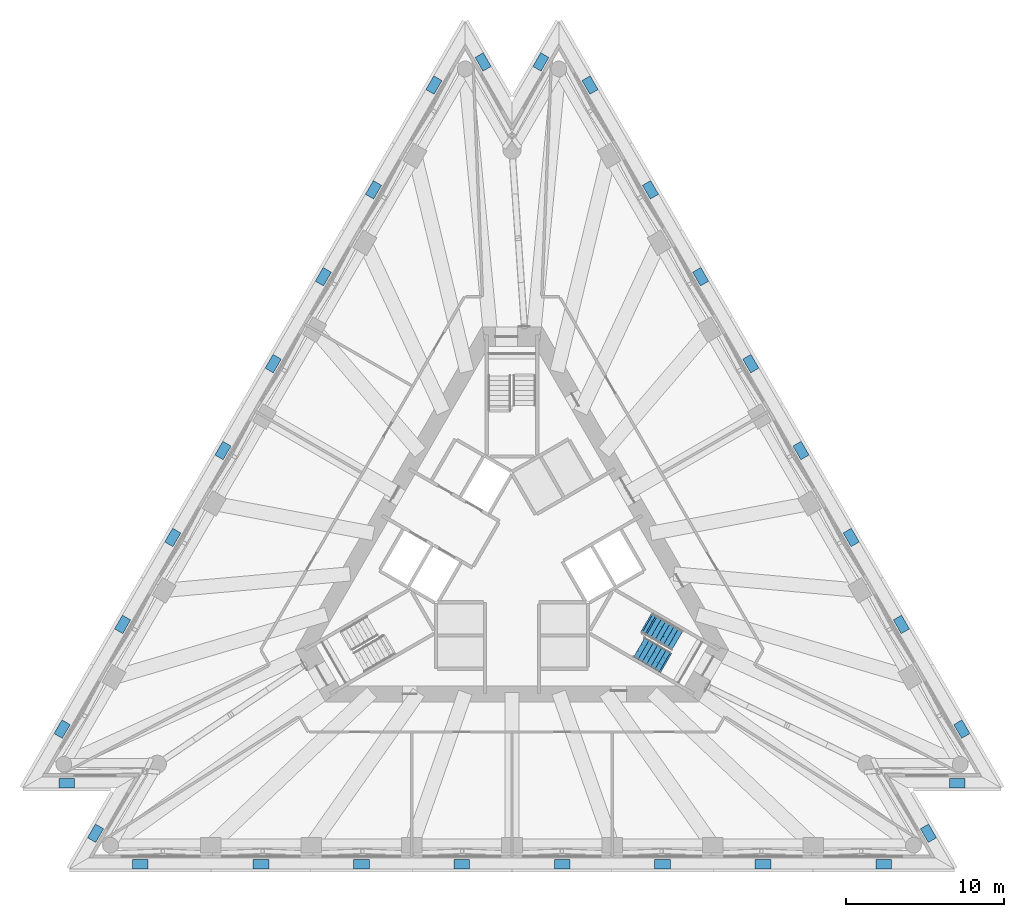
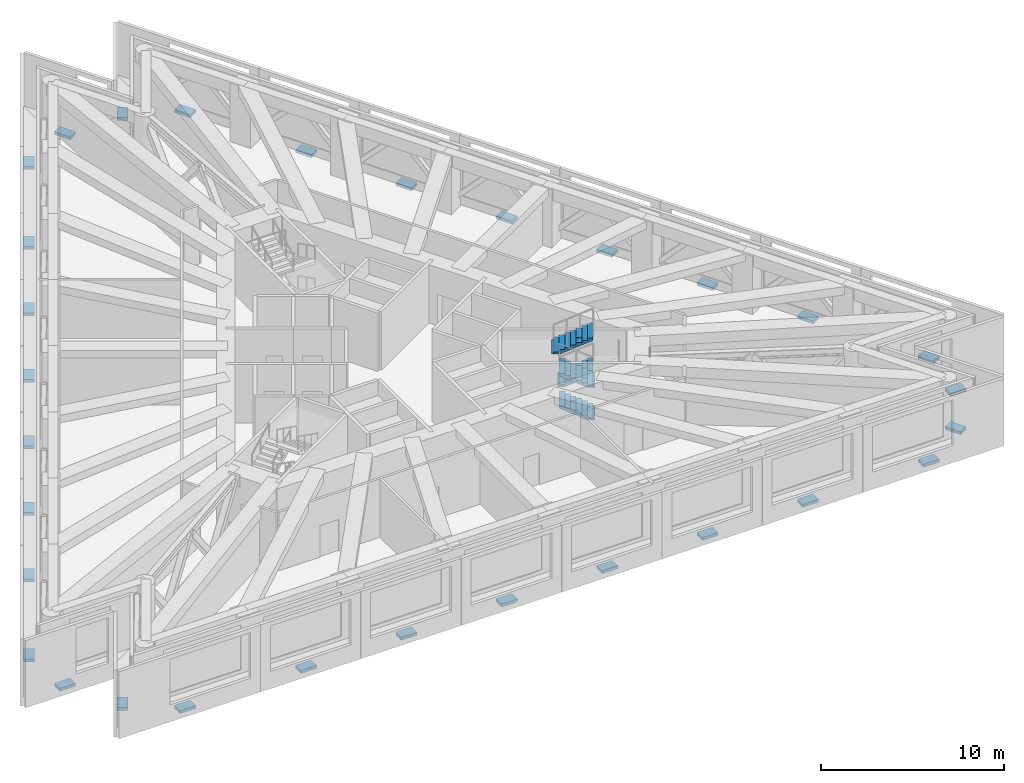
# One storey, part 10 of 12: 30 discrete accessories, 4 stair flights, 1 element without a shape of its own.
"""IFC4 building model written with IfcOpenShell, lengths in metres."""

from ifc_helpers import new_model, si_unit, direction, frame, origin, origin_2d, place, context, subcontext, project, spatial, polyline, rectangle, outline, extrude, material, type_object, element, aggregate, save


model = new_model("IFC4")

# Units and contexts
model_context = context("Model", 3, precision=1e-05, world=origin(), true_north=direction((0.0, 1.0)))
body_context = subcontext(model_context, "Body", "Model", "MODEL_VIEW")
ifc_project = project(units=[si_unit("LENGTHUNIT", "METRE"), si_unit("AREAUNIT", "SQUARE_METRE"), si_unit("VOLUMEUNIT", "CUBIC_METRE"), si_unit("PLANEANGLEUNIT", "RADIAN"), si_unit("MASSUNIT", "GRAM", prefix="KILO")], contexts=[model_context])

# Site, building, storey
site_placement = place(None, origin())
site = spatial("IfcSite", under=ifc_project, at=site_placement, CompositionType="ELEMENT")
building_placement = place(site_placement, origin())
building = spatial("IfcBuilding", under=site, at=building_placement, Name="Triada Interchange Tower", CompositionType="ELEMENT")
storey_placement = place(building_placement, frame((0.0, 0.0, 180.800048828125)))
storey = spatial("IfcBuildingStorey", under=building, at=storey_placement, Name="L42", CompositionType="ELEMENT", Elevation=180.800048828125)

# Stair, stair flights
ifc_material_1 = material(Name="Concrete C35/45", Category="concrete")
stair_type = type_object("IfcStairType", Name="HALF TURN STAIR 1400", PredefinedType="HALF_TURN_STAIR", material=ifc_material_1)
stair_placement = place(storey_placement, origin())
stair = element("IfcStair", 1, at=stair_placement, inside=storey, type_object=stair_type, Name="Exit stair S42-3", PredefinedType="HALF_TURN_STAIR")
stair_flight_type = type_object("IfcStairFlightType", Name="STRAIGHT STAIR FLIGHT 1400", PredefinedType="STRAIGHT", material=ifc_material_1)
stair_flight_1_placement = place(storey_placement, frame((9.64599609375, -6.492919921875, 0.0), z_axis=(0.0, 0.0, 1.0), x_axis=(-0.866025403784, 0.5, 0.0)))
stair_flight_1 = element("IfcStairFlight", 2, at=stair_flight_1_placement, type_object=stair_flight_type, Name="S42-3 flight 1", NumberOfRisers=7, NumberOfTreads=6, PredefinedType="STRAIGHT", RiserHeight=0.15517, TreadLength=0.31, context=body_context, shape_type="SweptSolid", body=[
    extrude(outline(polyline([(-0.10009765625, 0.0), (-0.10009765625, 0.02001953125), (0.0, 0.02001953125), (0.0, 0.1552734375), (0.31005859375, 0.1552734375), (0.31005859375, 0.310302734375), (0.6201171875, 0.310302734375), (0.6201171875, 0.465576171875), (0.929931640625, 0.465576171875), (0.929931640625, 0.62060546875), (1.239990234375, 0.62060546875), (1.239990234375, 0.77587890625), (1.550048828125, 0.77587890625), (1.550048828125, 0.930908203125), (1.860107421875, 0.930908203125), (1.864013671875, 0.930908203125), (1.864013671875, 1.086181640625), (1.864013671875, 0.763427734375), (0.3349609375, 0.0), (-0.10009765625, 0.0)])), frame((0.0, 0.699951171875, 0.0), z_axis=(0.0, -1.0, 0.0), x_axis=(1.0, 0.0, 0.0)), (0.0, 0.0, 1.0), 0.46533203125),
    extrude(outline(polyline([(-0.10009765625, 0.0), (-0.10009765625, 0.02001953125), (0.0, 0.02001953125), (0.0, 0.1552734375), (0.31005859375, 0.1552734375), (0.31005859375, 0.310302734375), (0.6201171875, 0.310302734375), (0.6201171875, 0.465576171875), (0.929931640625, 0.465576171875), (0.929931640625, 0.62060546875), (1.239990234375, 0.62060546875), (1.239990234375, 0.77587890625), (1.550048828125, 0.77587890625), (1.550048828125, 0.930908203125), (1.860107421875, 0.930908203125), (1.864013671875, 0.930908203125), (1.864013671875, 1.086181640625), (1.864013671875, 0.763427734375), (0.3349609375, 0.0), (-0.10009765625, 0.0)])), frame((0.0, 0.232666015625, 0.0), z_axis=(0.0, -1.0, 0.0), x_axis=(1.0, 0.0, 0.0)), (0.0, 0.0, 1.0), 0.46533203125),
    extrude(outline(polyline([(-0.10009765625, 0.0), (-0.10009765625, 0.02001953125), (0.0, 0.02001953125), (0.0, 0.1552734375), (0.31005859375, 0.1552734375), (0.31005859375, 0.310302734375), (0.6201171875, 0.310302734375), (0.6201171875, 0.465576171875), (0.929931640625, 0.465576171875), (0.929931640625, 0.62060546875), (1.239990234375, 0.62060546875), (1.239990234375, 0.77587890625), (1.550048828125, 0.77587890625), (1.550048828125, 0.930908203125), (1.860107421875, 0.930908203125), (1.864013671875, 0.930908203125), (1.864013671875, 1.086181640625), (1.864013671875, 0.763427734375), (0.3349609375, 0.0), (-0.10009765625, 0.0)])), frame((0.0, -0.234619140625, 0.0), z_axis=(0.0, -1.0, 0.0), x_axis=(1.0, 0.0, 0.0)), (0.0, 0.0, 1.0), 0.46533203125),
])
stair_flight_2_placement = place(storey_placement, frame((8.8349609375, -4.177001953125, 1.086181640625), z_axis=(0.0, 0.0, 1.0), x_axis=(0.866025403784, -0.5, 0.0)))
stair_flight_2 = element("IfcStairFlight", 3, at=stair_flight_2_placement, type_object=stair_flight_type, Name="S42-3 flight 2", NumberOfRisers=7, NumberOfTreads=6, PredefinedType="STRAIGHT", RiserHeight=0.15517, TreadLength=0.31, context=body_context, shape_type="SweptSolid", body=[
    extrude(outline(polyline([(-0.10009765625, 0.0), (-0.10009765625, 0.02001953125), (0.0, 0.02001953125), (0.0, 0.1552734375), (0.31005859375, 0.1552734375), (0.31005859375, 0.310302734375), (0.6201171875, 0.310302734375), (0.6201171875, 0.465576171875), (0.929931640625, 0.465576171875), (0.929931640625, 0.62060546875), (1.239990234375, 0.62060546875), (1.239990234375, 0.77587890625), (1.550048828125, 0.77587890625), (1.550048828125, 0.930908203125), (1.860107421875, 0.930908203125), (1.864013671875, 0.930908203125), (1.864013671875, 1.086181640625), (1.864013671875, 0.763427734375), (0.3349609375, 0.0), (-0.10009765625, 0.0)])), frame((0.0, 0.699951171875, 0.0), z_axis=(0.0, -1.0, 0.0), x_axis=(1.0, 0.0, 0.0)), (0.0, 0.0, 1.0), 0.46533203125),
    extrude(outline(polyline([(-0.10009765625, 0.0), (-0.10009765625, 0.02001953125), (0.0, 0.02001953125), (0.0, 0.1552734375), (0.31005859375, 0.1552734375), (0.31005859375, 0.310302734375), (0.6201171875, 0.310302734375), (0.6201171875, 0.465576171875), (0.929931640625, 0.465576171875), (0.929931640625, 0.62060546875), (1.239990234375, 0.62060546875), (1.239990234375, 0.77587890625), (1.550048828125, 0.77587890625), (1.550048828125, 0.930908203125), (1.860107421875, 0.930908203125), (1.864013671875, 0.930908203125), (1.864013671875, 1.086181640625), (1.864013671875, 0.763427734375), (0.3349609375, 0.0), (-0.10009765625, 0.0)])), frame((0.0, 0.232666015625, 0.0), z_axis=(0.0, -1.0, 0.0), x_axis=(1.0, 0.0, 0.0)), (0.0, 0.0, 1.0), 0.46533203125),
    extrude(outline(polyline([(-0.10009765625, 0.0), (-0.10009765625, 0.02001953125), (0.0, 0.02001953125), (0.0, 0.1552734375), (0.31005859375, 0.1552734375), (0.31005859375, 0.310302734375), (0.6201171875, 0.310302734375), (0.6201171875, 0.465576171875), (0.929931640625, 0.465576171875), (0.929931640625, 0.62060546875), (1.239990234375, 0.62060546875), (1.239990234375, 0.77587890625), (1.550048828125, 0.77587890625), (1.550048828125, 0.930908203125), (1.860107421875, 0.930908203125), (1.864013671875, 0.930908203125), (1.864013671875, 1.086181640625), (1.864013671875, 0.763427734375), (0.3349609375, 0.0), (-0.10009765625, 0.0)])), frame((0.0, -0.234619140625, 0.0), z_axis=(0.0, -1.0, 0.0), x_axis=(1.0, 0.0, 0.0)), (0.0, 0.0, 1.0), 0.46533203125),
])
stair_flight_3_placement = place(storey_placement, frame((9.64599609375, -6.492919921875, 2.17236328125), z_axis=(0.0, 0.0, 1.0), x_axis=(-0.866025403784, 0.5, 0.0)))
stair_flight_3 = element("IfcStairFlight", 4, at=stair_flight_3_placement, type_object=stair_flight_type, Name="S42-3 flight 3", NumberOfRisers=7, NumberOfTreads=6, PredefinedType="STRAIGHT", RiserHeight=0.15517, TreadLength=0.31, context=body_context, shape_type="SweptSolid", body=[
    extrude(outline(polyline([(-0.10009765625, 0.0), (-0.10009765625, 0.02001953125), (0.0, 0.02001953125), (0.0, 0.1552734375), (0.31005859375, 0.1552734375), (0.31005859375, 0.310302734375), (0.6201171875, 0.310302734375), (0.6201171875, 0.465576171875), (0.929931640625, 0.465576171875), (0.929931640625, 0.62060546875), (1.239990234375, 0.62060546875), (1.239990234375, 0.77587890625), (1.550048828125, 0.77587890625), (1.550048828125, 0.930908203125), (1.860107421875, 0.930908203125), (1.864013671875, 0.930908203125), (1.864013671875, 1.086181640625), (1.864013671875, 0.763427734375), (0.3349609375, 0.0), (-0.10009765625, 0.0)])), frame((0.0, 0.699951171875, 0.0), z_axis=(0.0, -1.0, 0.0), x_axis=(1.0, 0.0, 0.0)), (0.0, 0.0, 1.0), 0.46533203125),
    extrude(outline(polyline([(-0.10009765625, 0.0), (-0.10009765625, 0.02001953125), (0.0, 0.02001953125), (0.0, 0.1552734375), (0.31005859375, 0.1552734375), (0.31005859375, 0.310302734375), (0.6201171875, 0.310302734375), (0.6201171875, 0.465576171875), (0.929931640625, 0.465576171875), (0.929931640625, 0.62060546875), (1.239990234375, 0.62060546875), (1.239990234375, 0.77587890625), (1.550048828125, 0.77587890625), (1.550048828125, 0.930908203125), (1.860107421875, 0.930908203125), (1.864013671875, 0.930908203125), (1.864013671875, 1.086181640625), (1.864013671875, 0.763427734375), (0.3349609375, 0.0), (-0.10009765625, 0.0)])), frame((0.0, 0.232666015625, 0.0), z_axis=(0.0, -1.0, 0.0), x_axis=(1.0, 0.0, 0.0)), (0.0, 0.0, 1.0), 0.46533203125),
    extrude(outline(polyline([(-0.10009765625, 0.0), (-0.10009765625, 0.02001953125), (0.0, 0.02001953125), (0.0, 0.1552734375), (0.31005859375, 0.1552734375), (0.31005859375, 0.310302734375), (0.6201171875, 0.310302734375), (0.6201171875, 0.465576171875), (0.929931640625, 0.465576171875), (0.929931640625, 0.62060546875), (1.239990234375, 0.62060546875), (1.239990234375, 0.77587890625), (1.550048828125, 0.77587890625), (1.550048828125, 0.930908203125), (1.860107421875, 0.930908203125), (1.864013671875, 0.930908203125), (1.864013671875, 1.086181640625), (1.864013671875, 0.763427734375), (0.3349609375, 0.0), (-0.10009765625, 0.0)])), frame((0.0, -0.234619140625, 0.0), z_axis=(0.0, -1.0, 0.0), x_axis=(1.0, 0.0, 0.0)), (0.0, 0.0, 1.0), 0.46533203125),
])
stair_flight_4_placement = place(storey_placement, frame((8.56689453125, -4.02197265625, 3.258544921875), z_axis=(0.0, 0.0, 1.0), x_axis=(0.866025403784, -0.5, 0.0)))
stair_flight_4 = element("IfcStairFlight", 5, at=stair_flight_4_placement, type_object=stair_flight_type, Name="S42-3 flight 4", NumberOfRisers=8, NumberOfTreads=7, PredefinedType="STRAIGHT", RiserHeight=0.15517, TreadLength=0.31, context=body_context, shape_type="SweptSolid", body=[
    extrude(outline(polyline([(-0.10009765625, 0.0), (-0.10009765625, 0.02001953125), (0.0, 0.02001953125), (0.0, 0.1552734375), (0.31005859375, 0.1552734375), (0.31005859375, 0.310302734375), (0.6201171875, 0.310302734375), (0.6201171875, 0.465576171875), (0.929931640625, 0.465576171875), (0.929931640625, 0.62060546875), (1.239990234375, 0.62060546875), (1.239990234375, 0.77587890625), (1.550048828125, 0.77587890625), (1.550048828125, 0.930908203125), (1.860107421875, 0.930908203125), (1.860107421875, 1.086181640625), (2.169921875, 1.086181640625), (2.174072265625, 1.086181640625), (2.174072265625, 1.241455078125), (2.174072265625, 0.91845703125), (0.3349609375, 0.0), (-0.10009765625, 0.0)])), frame((0.0, 0.699951171875, 0.0), z_axis=(0.0, -1.0, 0.0), x_axis=(1.0, 0.0, 0.0)), (0.0, 0.0, 1.0), 0.46533203125),
    extrude(outline(polyline([(-0.10009765625, 0.0), (-0.10009765625, 0.02001953125), (0.0, 0.02001953125), (0.0, 0.1552734375), (0.31005859375, 0.1552734375), (0.31005859375, 0.310302734375), (0.6201171875, 0.310302734375), (0.6201171875, 0.465576171875), (0.929931640625, 0.465576171875), (0.929931640625, 0.62060546875), (1.239990234375, 0.62060546875), (1.239990234375, 0.77587890625), (1.550048828125, 0.77587890625), (1.550048828125, 0.930908203125), (1.860107421875, 0.930908203125), (1.860107421875, 1.086181640625), (2.169921875, 1.086181640625), (2.174072265625, 1.086181640625), (2.174072265625, 1.241455078125), (2.174072265625, 0.91845703125), (0.3349609375, 0.0), (-0.10009765625, 0.0)])), frame((0.0, 0.232666015625, 0.0), z_axis=(0.0, -1.0, 0.0), x_axis=(1.0, 0.0, 0.0)), (0.0, 0.0, 1.0), 0.46533203125),
    extrude(outline(polyline([(-0.10009765625, 0.0), (-0.10009765625, 0.02001953125), (0.0, 0.02001953125), (0.0, 0.1552734375), (0.31005859375, 0.1552734375), (0.31005859375, 0.310302734375), (0.6201171875, 0.310302734375), (0.6201171875, 0.465576171875), (0.929931640625, 0.465576171875), (0.929931640625, 0.62060546875), (1.239990234375, 0.62060546875), (1.239990234375, 0.77587890625), (1.550048828125, 0.77587890625), (1.550048828125, 0.930908203125), (1.860107421875, 0.930908203125), (1.860107421875, 1.086181640625), (2.169921875, 1.086181640625), (2.174072265625, 1.086181640625), (2.174072265625, 1.241455078125), (2.174072265625, 0.91845703125), (0.3349609375, 0.0), (-0.10009765625, 0.0)])), frame((0.0, -0.234619140625, 0.0), z_axis=(0.0, -1.0, 0.0), x_axis=(1.0, 0.0, 0.0)), (0.0, 0.0, 1.0), 0.46533203125),
])
aggregate(stair, [stair_flight_1, stair_flight_2, stair_flight_3, stair_flight_4])

# Discrete accessories
ifc_material_2 = material(Name="Steel S355", Category="steel")
discrete_accessory_type = type_object("IfcDiscreteAccessoryType", Name="Steel bracket outer skin", PredefinedType="BRACKET", material=ifc_material_2)
for number, where, z_axis, x_axis, name in (
    (6, (-4.928955078125, 29.965087890625, -0.419921875), (0.0, 0.0, 1.0), (-0.866021319685, 0.500007073801, 0.0), "Bracket L42 01"),
    (7, (-8.748046875, 23.35009765625, -0.419921875), (0.0, 0.0, 1.0), (-0.866021319685, 0.500007073801, 0.0), "Bracket L42 02"),
    (8, (-11.9169921875, 17.860107421875, -0.419921875), (0.0, 0.0, 1.0), (-0.866021319685, 0.500007073801, 0.0), "Bracket L42 03"),
    (9, (-15.0869140625, 12.3701171875, -0.419921875), (0.0, 0.0, 1.0), (-0.866021319685, 0.500007073801, 0.0), "Bracket L42 04"),
    (10, (-18.257080078125, 6.881103515625, -0.419921875), (0.0, 0.0, 1.0), (-0.866021319685, 0.500007073801, 0.0), "Bracket L42 05"),
    (11, (-21.426025390625, 1.39111328125, -0.419921875), (0.0, 0.0, 1.0), (-0.866021319685, 0.500007073801, 0.0), "Bracket L42 06"),
    (12, (-24.595947265625, -4.09912109375, -0.419921875), (0.0, 0.0, 1.0), (-0.866021319685, 0.500007073801, 0.0), "Bracket L42 07"),
    (13, (-28.4150390625, -10.714111328125, -0.419921875), (0.0, 0.0, 1.0), (-0.866021319685, 0.500007073801, 0.0), "Bracket L42 08"),
    (14, (-28.1279296875, -14.134033203125, -0.419921875), (0.0, 0.0, 1.0), (0.0, -1.0, 0.0), "Bracket L42 09"),
    (15, (-26.304931640625, -17.29296875, -0.419921875), (0.0, 0.0, 1.0), (-0.866047490081, 0.499961743461, 0.0), "Bracket L42 10"),
    (16, (-23.486083984375, -19.2509765625, -0.419921875), (0.0, 0.0, 1.0), (0.0, -1.0, 0.0), "Bracket L42 11"),
    (17, (-15.847900390625, -19.2509765625, -0.419921875), (0.0, 0.0, 1.0), (0.0, -1.0, 0.0), "Bracket L42 12"),
    (18, (-9.509033203125, -19.2509765625, -0.419921875), (0.0, 0.0, 1.0), (0.0, -1.0, 0.0), "Bracket L42 13"),
    (19, (-3.169921875, -19.2509765625, -0.419921875), (0.0, 0.0, 1.0), (0.0, -1.0, 0.0), "Bracket L42 14"),
    (20, (3.169921875, -19.2509765625, -0.419921875), (0.0, 0.0, 1.0), (0.0, -1.0, 0.0), "Bracket L42 15"),
    (21, (9.509033203125, -19.2509765625, -0.419921875), (0.0, 0.0, 1.0), (0.0, -1.0, 0.0), "Bracket L42 16"),
    (22, (15.847900390625, -19.2509765625, -0.419921875), (0.0, 0.0, 1.0), (0.0, -1.0, 0.0), "Bracket L42 17"),
    (23, (23.486083984375, -19.2509765625, -0.419921875), (0.0, 0.0, 1.0), (0.0, -1.0, 0.0), "Bracket L42 18"),
    (24, (26.304931640625, -17.29296875, -0.419921875), (0.0, 0.0, 1.0), (0.866047490081, 0.499961743461, 0.0), "Bracket L42 19"),
    (25, (28.1279296875, -14.134033203125, -0.419921875), (0.0, 0.0, 1.0), (0.0, -1.0, 0.0), "Bracket L42 20"),
    (26, (28.4150390625, -10.714111328125, -0.419921875), (0.0, 0.0, 1.0), (0.866021319685, 0.500007073801, 0.0), "Bracket L42 21"),
    (27, (24.595947265625, -4.09912109375, -0.419921875), (0.0, 0.0, 1.0), (0.866021319685, 0.500007073801, 0.0), "Bracket L42 22"),
    (28, (21.426025390625, 1.39111328125, -0.419921875), (0.0, 0.0, 1.0), (0.866021319685, 0.500007073801, 0.0), "Bracket L42 23"),
    (29, (18.257080078125, 6.881103515625, -0.419921875), (0.0, 0.0, 1.0), (0.866021319685, 0.500007073801, 0.0), "Bracket L42 24"),
    (30, (15.0869140625, 12.3701171875, -0.419921875), (0.0, 0.0, 1.0), (0.866021319685, 0.500007073801, 0.0), "Bracket L42 25"),
    (31, (11.9169921875, 17.860107421875, -0.419921875), (0.0, 0.0, 1.0), (0.866021319685, 0.500007073801, 0.0), "Bracket L42 26"),
    (32, (8.748046875, 23.35009765625, -0.419921875), (0.0, 0.0, 1.0), (0.866021319685, 0.500007073801, 0.0), "Bracket L42 27"),
    (33, (4.928955078125, 29.965087890625, -0.419921875), (0.0, 0.0, 1.0), (0.866021319685, 0.500007073801, 0.0), "Bracket L42 28"),
    (34, (1.822998046875, 31.427001953125, -0.419921875), (0.0, 0.0, 1.0), (-0.866047490081, 0.499961743461, 0.0), "Bracket L42 29"),
    (35, (-1.822998046875, 31.427001953125, -0.419921875), (0.0, 0.0, 1.0), (0.866047490081, 0.499961743461, 0.0), "Bracket L42 30"),
):
    element("IfcDiscreteAccessory", number, at=place(storey_placement, frame(where, z_axis=z_axis, x_axis=x_axis)), inside=storey, type_object=discrete_accessory_type, Name=name, PredefinedType="BRACKET", context=body_context, shape_type="SweptSolid", body=[
        extrude(rectangle(XDim=0.60009765625, YDim=1.0, at=origin_2d()), origin(), (0.0, 0.0, 1.0), 0.199951171875),
    ])

save(model, "model.ifc")
